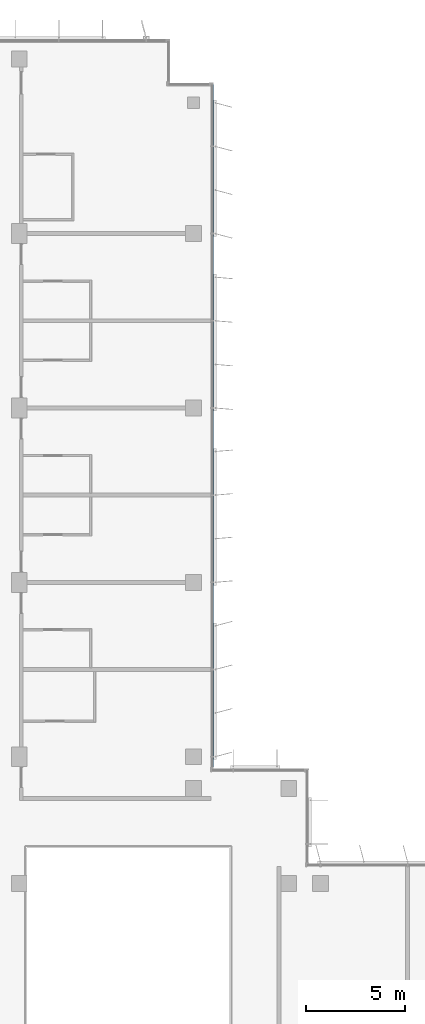
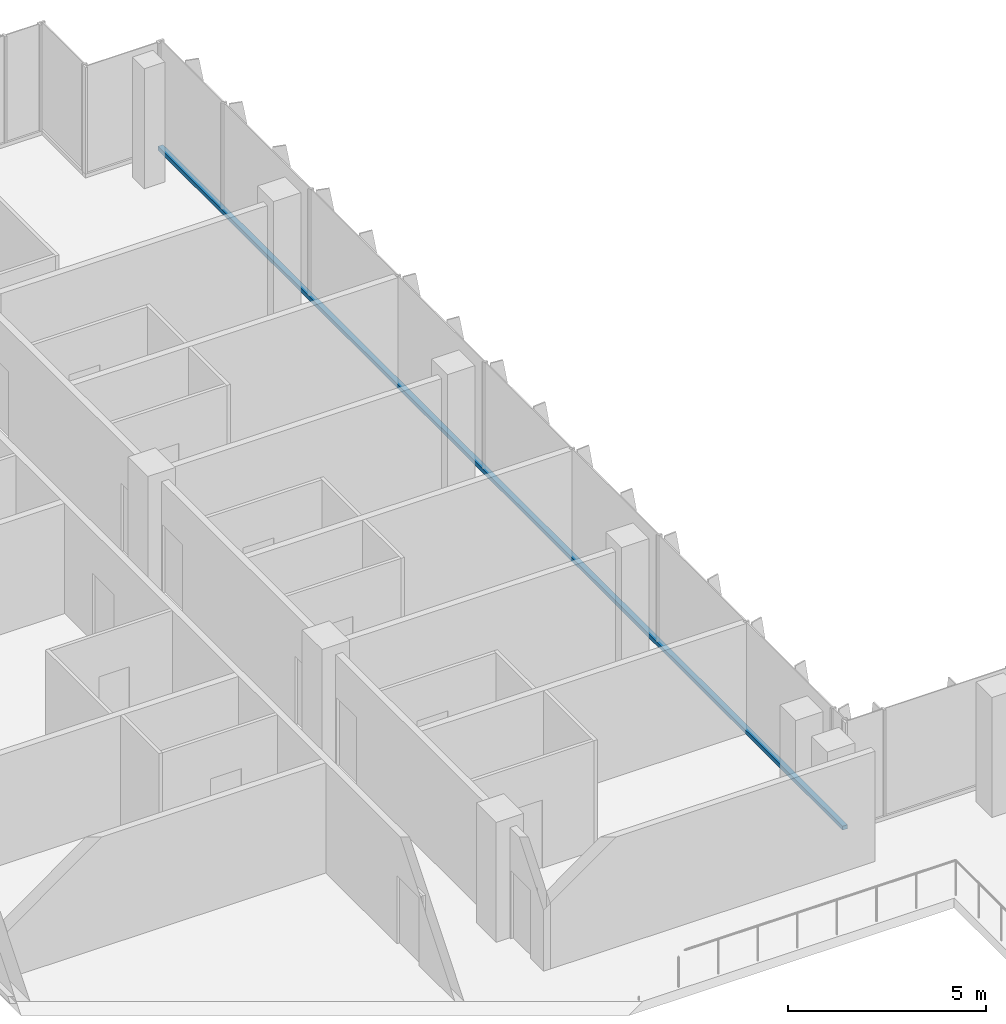
# One storey, part 5 of 17: 1 member, 1 element without a shape of its own.
"""IFC4 building model written with IfcOpenShell, lengths in metres."""

from ifc_helpers import new_model, si_unit, direction, frame, origin, origin_2d, place, context, subcontext, project, spatial, rectangle, extrude, material, material_profile, profile_set, type_object, element, aggregate, save


model = new_model("IFC4")

# Units and contexts
model_context = context("Model", 3, precision=1e-05, world=origin(), true_north=direction((0.0, 1.0)))
body_context = subcontext(model_context, "Body", "Model", "MODEL_VIEW")
ifc_project = project(units=[si_unit("LENGTHUNIT", "METRE"), si_unit("AREAUNIT", "SQUARE_METRE"), si_unit("VOLUMEUNIT", "CUBIC_METRE"), si_unit("PLANEANGLEUNIT", "RADIAN"), si_unit("MASSUNIT", "GRAM", prefix="KILO")], contexts=[model_context])

# Site, building, storey
site_placement = place(None, origin())
site = spatial("IfcSite", under=ifc_project, at=site_placement, CompositionType="ELEMENT")
building_placement = place(site_placement, origin())
building = spatial("IfcBuilding", under=site, at=building_placement, Name="Kemantara Hotel Tower", CompositionType="ELEMENT")
storey_placement = place(building_placement, frame((0.0, 0.0, 226.5)))
storey = spatial("IfcBuildingStorey", under=building, at=storey_placement, Name="L56", CompositionType="ELEMENT", Elevation=226.5)

# Curtain wall, member
ifc_material_1 = material(Name="Low-E tinted double insulated glass 36 mm", Category="glass")
curtain_wall_type = type_object("IfcCurtainWallType", Name="TOWER CURTAIN WALL, FRONT FACES", PredefinedType="USERDEFINED", material=ifc_material_1)
curtain_wall_placement = place(storey_placement, origin())
curtain_wall = element("IfcCurtainWall", 1, at=curtain_wall_placement, inside=storey, type_object=curtain_wall_type, Name="CW4 L56 T4-R15-1", ObjectType="TOWER CURTAIN WALL, FRONT FACES", PredefinedType="USERDEFINED")
ifc_material_2 = material(Name="Aluminium 6063-T6 bronze anodised", Category="aluminium")
ifc_material_profile = material_profile(ifc_material_2, rectangle(XDim=0.14990234375, YDim=0.1201171875, at=origin_2d()), Name="TOWER CURTAIN WALL, FRONT FACES TRANSOM")
ifc_profile_set = profile_set([ifc_material_profile], Name="Aluminium 6063-T6 bronze anodised")
member_type = type_object("IfcMemberType", Name="TOWER CURTAIN WALL, FRONT FACES TRANSOM", PredefinedType="USERDEFINED", material=ifc_profile_set)
member_placement = place(storey_placement, frame((21.925048828125, 26.800048828125, 0.06005859375), z_axis=(0.0, 1.0, 0.0), x_axis=(-1.0, 0.0, 0.0)))
member = element("IfcMember", 2, at=member_placement, type_object=member_type, Name="CW4 sill transom T4-R15-1", ObjectType="TRANSOM", PredefinedType="USERDEFINED", context=body_context, shape_type="SweptSolid", body=[
    extrude(rectangle(XDim=0.14990234375, YDim=0.1201171875, at=origin_2d()), origin(), (0.0, 0.0, 1.0), 34.599853515625),
])
aggregate(curtain_wall, [member])

save(model, "model.ifc")
